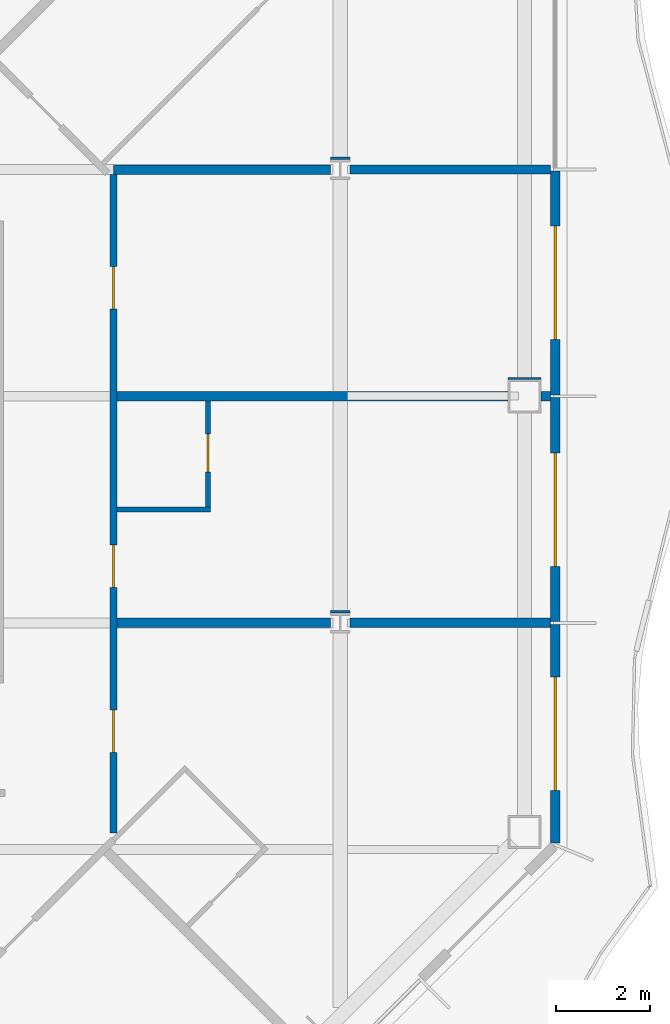
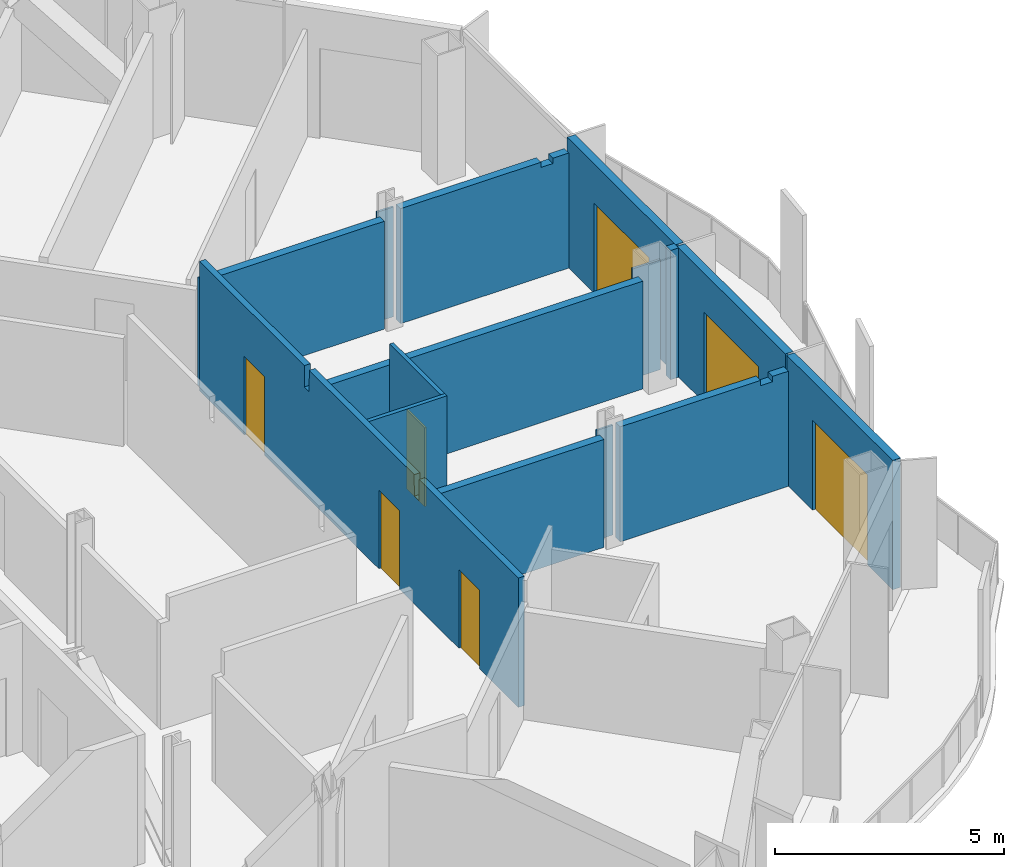
# One storey, part 11 of 22: 15 walls, 7 doors, 7 openings.
"""IFC4 building model written with IfcOpenShell, lengths in metres."""

from ifc_helpers import new_model, si_unit, direction, frame, frame_2d, origin, place, context, subcontext, project, spatial, polyline, rectangle, outline, extrude, material, layer, layer_set, type_object, element, fill, save


model = new_model("IFC4")

# Units and contexts
model_context = context("Model", 3, precision=1e-05, world=origin(), true_north=direction((0.0, 1.0)))
body_context = subcontext(model_context, "Body", "Model", "MODEL_VIEW")
ifc_project = project(units=[si_unit("LENGTHUNIT", "METRE"), si_unit("AREAUNIT", "SQUARE_METRE"), si_unit("VOLUMEUNIT", "CUBIC_METRE"), si_unit("PLANEANGLEUNIT", "RADIAN"), si_unit("MASSUNIT", "GRAM", prefix="KILO")], contexts=[model_context])

# Site, building, storey
site_placement = place(None, origin())
site = spatial("IfcSite", under=ifc_project, at=site_placement, CompositionType="ELEMENT")
building_placement = place(site_placement, origin())
building = spatial("IfcBuilding", under=site, at=building_placement, Name="Cairn Pilgrim Tower", CompositionType="ELEMENT")
storey_placement = place(building_placement, frame((0.0, 0.0, 147.0)))
storey = spatial("IfcBuildingStorey", under=building, at=storey_placement, Name="L36", CompositionType="ELEMENT", Elevation=147.0)

# Wall, opening, door
ifc_material_1 = material(Name="Bronze anodised aluminium insulated sandwich panel with mineral wool fill", Category="aluminium")
ifc_layer_1 = layer(ifc_material_1, 0.199951171875)
ifc_layer_set_1 = layer_set([ifc_layer_1], Name="BRONZE INFILL FRAME WALL 200")
wall_type_1 = type_object("IfcWallType", Name="BRONZE INFILL FRAME WALL 200", PredefinedType="NOTDEFINED", material=ifc_layer_set_1)
wall_1_placement = place(storey_placement, frame((35.75, -4.656494140625, 0.0), z_axis=(0.0, 0.0, 1.0), x_axis=(0.0, 1.0, 0.0)))
wall_1 = element("IfcWall", 1, at=wall_1_placement, inside=storey, type_object=wall_type_1, Name="Bronze infill frame wall IW-E1", PredefinedType="NOTDEFINED", context=body_context, shape_type="SweptSolid", body=[
    extrude(rectangle(XDim=4.62646484375, YDim=0.199951171875, at=frame_2d((2.313232421875, 0.0))), origin(), (0.0, 0.0, 1.0), 3.449951171875),
])
opening_1_placement = place(wall_1_placement, frame((1.1083984375, 0.0, 0.0)))
opening_1 = element("IfcOpeningElement", 2, at=opening_1_placement, cuts=wall_1, Name="Opening 3603B", PredefinedType="OPENING", context=body_context, shape_type="SweptSolid", body=[
    extrude(rectangle(XDim=2.39990234375, YDim=2.39990234375, at=frame_2d((1.199951171875, 1.199951171875))), frame((0.0, 0.10986328125, 0.0), z_axis=(0.0, -1.0, 0.0), x_axis=(1.0, 0.0, 0.0)), (0.0, 0.0, 1.0), 0.219970703125),
])
ifc_material_2 = material(Name="Bronze anodised aluminium frame with tinted low-E glass", Category="aluminium")
door_type_1 = type_object("IfcDoorType", Name="BALCONY SLIDING DOOR 2400x2400", OperationType="DOUBLE_DOOR_SLIDING", PredefinedType="DOOR", material=ifc_material_2)
door_1_placement = place(opening_1_placement, origin())
door_1 = element("IfcDoor", 3, at=door_1_placement, inside=storey, type_object=door_type_1, Name="Balcony sliding door 3603B", OperationType="SINGLE_SWING_LEFT", OverallHeight=2.39990234375, OverallWidth=2.39990234375, PredefinedType="DOOR", context=body_context, shape_type="SweptSolid", body=[
    extrude(rectangle(XDim=2.39990234375, YDim=2.39990234375, at=frame_2d((1.199951171875, 1.199951171875))), frame((0.0, 0.02490234375, 0.0), z_axis=(0.0, -1.0, 0.0), x_axis=(1.0, 0.0, 0.0)), (0.0, 0.0, 1.0), 0.050048828125),
])
fill(opening_1, door_1)

wall_2_placement = place(storey_placement, frame((35.75, 0.030029296875, 0.0), z_axis=(0.0, 0.0, 1.0), x_axis=(0.0, 1.0, 0.0)))
wall_2 = element("IfcWall", 4, at=wall_2_placement, inside=storey, type_object=wall_type_1, Name="Bronze infill frame wall IW-E2", PredefinedType="NOTDEFINED", context=body_context, shape_type="SweptSolid", body=[
    extrude(rectangle(XDim=4.739990234375, YDim=0.199951171875, at=frame_2d((2.3701171875, 0.0))), origin(), (0.0, 0.0, 1.0), 3.449951171875),
])
opening_2_placement = place(wall_2_placement, frame((1.169921875, 0.0, 0.0)))
opening_2 = element("IfcOpeningElement", 5, at=opening_2_placement, cuts=wall_2, Name="Opening 3604B", PredefinedType="OPENING", context=body_context, shape_type="SweptSolid", body=[
    extrude(rectangle(XDim=2.39990234375, YDim=2.39990234375, at=frame_2d((1.199951171875, 1.199951171875))), frame((0.0, 0.10986328125, 0.0), z_axis=(0.0, -1.0, 0.0), x_axis=(1.0, 0.0, 0.0)), (0.0, 0.0, 1.0), 0.219970703125),
])
door_2_placement = place(opening_2_placement, origin())
door_2 = element("IfcDoor", 6, at=door_2_placement, inside=storey, type_object=door_type_1, Name="Balcony sliding door 3604B", OperationType="SINGLE_SWING_LEFT", OverallHeight=2.39990234375, OverallWidth=2.39990234375, PredefinedType="DOOR", context=body_context, shape_type="SweptSolid", body=[
    extrude(rectangle(XDim=2.39990234375, YDim=2.39990234375, at=frame_2d((1.199951171875, 1.199951171875))), frame((0.0, 0.02490234375, 0.0), z_axis=(0.0, -1.0, 0.0), x_axis=(1.0, 0.0, 0.0)), (0.0, 0.0, 1.0), 0.050048828125),
])
fill(opening_2, door_2)

wall_3_placement = place(storey_placement, frame((35.75, 4.830078125, 0.0), z_axis=(0.0, 0.0, 1.0), x_axis=(0.0, 1.0, 0.0)))
wall_3 = element("IfcWall", 7, at=wall_3_placement, inside=storey, type_object=wall_type_1, Name="Bronze infill frame wall IW-E3", PredefinedType="NOTDEFINED", context=body_context, shape_type="SweptSolid", body=[
    extrude(rectangle(XDim=4.739990234375, YDim=0.199951171875, at=frame_2d((2.3701171875, 0.0))), origin(), (0.0, 0.0, 1.0), 3.449951171875),
])
opening_3_placement = place(wall_3_placement, frame((1.169921875, 0.0, 0.0)))
opening_3 = element("IfcOpeningElement", 8, at=opening_3_placement, cuts=wall_3, Name="Opening 3605B", PredefinedType="OPENING", context=body_context, shape_type="SweptSolid", body=[
    extrude(rectangle(XDim=2.39990234375, YDim=2.39990234375, at=frame_2d((1.199951171875, 1.199951171875))), frame((0.0, 0.10986328125, 0.0), z_axis=(0.0, -1.0, 0.0), x_axis=(1.0, 0.0, 0.0)), (0.0, 0.0, 1.0), 0.219970703125),
])
door_3_placement = place(opening_3_placement, origin())
door_3 = element("IfcDoor", 9, at=door_3_placement, inside=storey, type_object=door_type_1, Name="Balcony sliding door 3605B", OperationType="SINGLE_SWING_LEFT", OverallHeight=2.39990234375, OverallWidth=2.39990234375, PredefinedType="DOOR", context=body_context, shape_type="SweptSolid", body=[
    extrude(rectangle(XDim=2.39990234375, YDim=2.39990234375, at=frame_2d((1.199951171875, 1.199951171875))), frame((0.0, 0.02490234375, 0.0), z_axis=(0.0, -1.0, 0.0), x_axis=(1.0, 0.0, 0.0)), (0.0, 0.0, 1.0), 0.050048828125),
])
fill(opening_3, door_3)

# Wall
ifc_material_3 = material(Name="Gypsum partition")
ifc_layer_2 = layer(ifc_material_3, 0.10009765625)
ifc_layer_set_2 = layer_set([ifc_layer_2], Name="PARTITION 100 DRYWALL")
wall_type_2 = type_object("IfcWallType", Name="PARTITION 100 DRYWALL", PredefinedType="PARTITIONING", material=ifc_layer_set_2)
wall_4_placement = place(storey_placement, frame((26.47509765625, 2.39990234375, 0.0), z_axis=(0.0, 0.0, 1.0), x_axis=(1.0, 0.0, 0.0)))
element("IfcWall", 10, at=wall_4_placement, inside=storey, type_object=wall_type_2, Name="PARTITION W053", PredefinedType="PARTITIONING", context=body_context, shape_type="SweptSolid", body=[
    extrude(rectangle(XDim=1.974853515625, YDim=0.10009765625, at=frame_2d((0.9873046875, 0.0))), origin(), (0.0, 0.0, 1.0), 3.449951171875),
])

# Wall, opening, door
wall_5_placement = place(storey_placement, frame((28.39990234375, 2.449951171875, 0.0), z_axis=(0.0, 0.0, 1.0), x_axis=(0.0, 1.0, 0.0)))
wall_5 = element("IfcWall", 11, at=wall_5_placement, inside=storey, type_object=wall_type_2, Name="PARTITION W054", PredefinedType="PARTITIONING", context=body_context, shape_type="SweptSolid", body=[
    extrude(outline(polyline([(0.0, 0.0), (2.25, 0.0), (2.25, 2.8798828125), (2.2451171875, 2.8798828125), (2.242919921875, 3.449951171875), (0.0, 3.449951171875), (0.0, 0.0)])), frame((0.0, 0.050048828125, 0.0), z_axis=(0.0, -1.0, 0.0), x_axis=(1.0, 0.0, 0.0)), (0.0, 0.0, 1.0), 0.10009765625),
])
opening_4_placement = place(wall_5_placement, frame((0.75, 0.0, 0.0)))
opening_4 = element("IfcOpeningElement", 12, at=opening_4_placement, cuts=wall_5, Name="Opening 3604A", PredefinedType="OPENING", context=body_context, shape_type="SweptSolid", body=[
    extrude(rectangle(XDim=0.800048828125, YDim=2.10009765625, at=frame_2d((0.39990234375, 1.050048828125))), frame((0.0, 0.06005859375, 0.0), z_axis=(0.0, -1.0, 0.0), x_axis=(1.0, 0.0, 0.0)), (0.0, 0.0, 1.0), 0.1201171875),
])
ifc_material_4 = material(Name="Timber door leaf", Category="wood")
door_type_2 = type_object("IfcDoorType", Name="WC DOOR 800x2100", OperationType="NOTDEFINED", PredefinedType="DOOR", material=ifc_material_4)
door_4_placement = place(opening_4_placement, frame((0.800048828125, 0.0, 0.0), z_axis=(0.0, 0.0, 1.0), x_axis=(-1.0, 0.0, 0.0)))
door_4 = element("IfcDoor", 13, at=door_4_placement, inside=storey, type_object=door_type_2, Name="DOOR 3604A", OperationType="SINGLE_SWING_LEFT", OverallHeight=2.10009765625, OverallWidth=0.800048828125, PredefinedType="DOOR", context=body_context, shape_type="SweptSolid", body=[
    extrude(rectangle(XDim=0.800048828125, YDim=2.10009765625, at=frame_2d((0.39990234375, 1.050048828125))), frame((0.0, 0.02490234375, 0.0), z_axis=(0.0, -1.0, 0.0), x_axis=(1.0, 0.0, 0.0)), (0.0, 0.0, 1.0), 0.050048828125),
])
fill(opening_4, door_4)

# Wall, openings, doors
ifc_layer_3 = layer(ifc_material_3, 0.14990234375)
ifc_layer_set_3 = layer_set([ifc_layer_3], Name="PARTITION 150 DRYWALL EI 60")
wall_type_3 = type_object("IfcWallType", Name="PARTITION 150 DRYWALL EI 60", PredefinedType="PARTITIONING", material=ifc_layer_set_3)
wall_6_placement = place(storey_placement, frame((26.39990234375, -4.4482421875, 0.0), z_axis=(0.0, 0.0, 1.0), x_axis=(0.0, 1.0, 0.0)))
wall_6 = element("IfcWall", 14, at=wall_6_placement, inside=storey, type_object=wall_type_3, Name="PARTITION W038", PredefinedType="PARTITIONING", context=body_context, shape_type="SweptSolid", body=[
    extrude(outline(polyline([(0.0, 0.0), (13.9482421875, 0.0), (13.948486328125, 2.8798828125), (13.943359375, 2.8798828125), (13.94140625, 3.449951171875), (9.353271484375, 3.449951171875), (9.351318359375, 2.8798828125), (9.143310546875, 2.8798828125), (9.141357421875, 3.449951171875), (4.55322265625, 3.449951171875), (4.55126953125, 2.8798828125), (4.34326171875, 2.8798828125), (4.34130859375, 3.449951171875), (0.0, 3.449951171875), (0.0, 0.0)])), frame((0.0, 0.074951171875, 0.0), z_axis=(0.0, -1.0, 0.0), x_axis=(1.0, 0.0, 0.0)), (0.0, 0.0, 1.0), 0.14990234375),
])
opening_5_placement = place(wall_6_placement, frame((1.701171875, 0.0, 0.0)))
opening_5 = element("IfcOpeningElement", 15, at=opening_5_placement, cuts=wall_6, Name="Opening 3603", PredefinedType="OPENING", context=body_context, shape_type="SweptSolid", body=[
    extrude(rectangle(XDim=0.89990234375, YDim=2.10009765625, at=frame_2d((0.449951171875, 1.050048828125))), frame((0.0, 0.0849609375, 0.0), z_axis=(0.0, -1.0, 0.0), x_axis=(1.0, 0.0, 0.0)), (0.0, 0.0, 1.0), 0.169921875),
])
opening_6_placement = place(wall_6_placement, frame((5.1982421875, 0.0, 0.0)))
opening_6 = element("IfcOpeningElement", 16, at=opening_6_placement, cuts=wall_6, Name="Opening 3604", PredefinedType="OPENING", context=body_context, shape_type="SweptSolid", body=[
    extrude(rectangle(XDim=0.89990234375, YDim=2.10009765625, at=frame_2d((0.449951171875, 1.050048828125))), frame((0.0, 0.0849609375, 0.0), z_axis=(0.0, -1.0, 0.0), x_axis=(1.0, 0.0, 0.0)), (0.0, 0.0, 1.0), 0.169921875),
])
opening_7_placement = place(wall_6_placement, frame((11.09521484375, 0.0, 0.0)))
opening_7 = element("IfcOpeningElement", 17, at=opening_7_placement, cuts=wall_6, Name="Opening 3605", PredefinedType="OPENING", context=body_context, shape_type="SweptSolid", body=[
    extrude(rectangle(XDim=0.89990234375, YDim=2.10009765625, at=frame_2d((0.449951171875, 1.050048828125))), frame((0.0, 0.0849609375, 0.0), z_axis=(0.0, -1.0, 0.0), x_axis=(1.0, 0.0, 0.0)), (0.0, 0.0, 1.0), 0.169921875),
])
door_type_3 = type_object("IfcDoorType", Name="ROOM DOOR 900x2100 FD30S", OperationType="NOTDEFINED", PredefinedType="DOOR", material=ifc_material_4)
door_5_placement = place(opening_5_placement, frame((0.89990234375, 0.0, 0.0), z_axis=(0.0, 0.0, 1.0), x_axis=(-1.0, 0.0, 0.0)))
door_5 = element("IfcDoor", 18, at=door_5_placement, inside=storey, type_object=door_type_3, Name="DOOR 3603", OperationType="SINGLE_SWING_LEFT", OverallHeight=2.10009765625, OverallWidth=0.89990234375, PredefinedType="DOOR", context=body_context, shape_type="SweptSolid", body=[
    extrude(rectangle(XDim=0.89990234375, YDim=2.10009765625, at=frame_2d((0.449951171875, 1.050048828125))), frame((0.0, 0.02490234375, 0.0), z_axis=(0.0, -1.0, 0.0), x_axis=(1.0, 0.0, 0.0)), (0.0, 0.0, 1.0), 0.050048828125),
])
fill(opening_5, door_5)
door_6_placement = place(opening_6_placement, frame((0.89990234375, 0.0, 0.0), z_axis=(0.0, 0.0, 1.0), x_axis=(-1.0, 0.0, 0.0)))
door_6 = element("IfcDoor", 19, at=door_6_placement, inside=storey, type_object=door_type_3, Name="DOOR 3604", OperationType="SINGLE_SWING_LEFT", OverallHeight=2.10009765625, OverallWidth=0.89990234375, PredefinedType="DOOR", context=body_context, shape_type="SweptSolid", body=[
    extrude(rectangle(XDim=0.89990234375, YDim=2.10009765625, at=frame_2d((0.449951171875, 1.050048828125))), frame((0.0, 0.02490234375, 0.0), z_axis=(0.0, -1.0, 0.0), x_axis=(1.0, 0.0, 0.0)), (0.0, 0.0, 1.0), 0.050048828125),
])
fill(opening_6, door_6)
door_type_4 = type_object("IfcDoorType", Name="SERVICE DOOR 900x2100 FD30S", OperationType="NOTDEFINED", PredefinedType="DOOR", material=ifc_material_4)
door_7_placement = place(opening_7_placement, frame((0.89990234375, 0.0, 0.0), z_axis=(0.0, 0.0, 1.0), x_axis=(-1.0, 0.0, 0.0)))
door_7 = element("IfcDoor", 20, at=door_7_placement, inside=storey, type_object=door_type_4, Name="DOOR 3605", OperationType="SINGLE_SWING_LEFT", OverallHeight=2.10009765625, OverallWidth=0.89990234375, PredefinedType="DOOR", context=body_context, shape_type="SweptSolid", body=[
    extrude(rectangle(XDim=0.89990234375, YDim=2.10009765625, at=frame_2d((0.449951171875, 1.050048828125))), frame((0.0, 0.02490234375, 0.0), z_axis=(0.0, -1.0, 0.0), x_axis=(1.0, 0.0, 0.0)), (0.0, 0.0, 1.0), 0.050048828125),
])
fill(opening_7, door_7)

# Walls
ifc_layer_4 = layer(ifc_material_3, 0.050048828125)
ifc_layer_set_4 = layer_set([ifc_layer_4], Name="PARTITION 50 DRYWALL EI 60")
wall_type_4 = type_object("IfcWallType", Name="PARTITION 50 DRYWALL EI 60", PredefinedType="PARTITIONING", material=ifc_layer_set_4)
wall_7_placement = place(storey_placement, frame((30.99560546875, 0.237548828125, 0.0), z_axis=(0.0, 0.0, 1.0), x_axis=(1.0, 0.0, 0.0)))
element("IfcWall", 21, at=wall_7_placement, inside=storey, type_object=wall_type_4, Name="COLUMN CASING WC22", PredefinedType="PARTITIONING", context=body_context, shape_type="SweptSolid", body=[
    extrude(rectangle(XDim=0.408935546875, YDim=0.050048828125, at=frame_2d((0.20458984375, 0.0))), origin(), (0.0, 0.0, 1.0), 2.929931640625),
])
wall_8_placement = place(storey_placement, frame((34.75, 5.175048828125, 0.0), z_axis=(0.0, 0.0, 1.0), x_axis=(1.0, 0.0, 0.0)))
element("IfcWall", 22, at=wall_8_placement, inside=storey, type_object=wall_type_4, Name="COLUMN CASING WC24", PredefinedType="PARTITIONING", context=body_context, shape_type="SweptSolid", body=[
    extrude(rectangle(XDim=0.699951171875, YDim=0.050048828125, at=frame_2d((0.35009765625, 0.0))), origin(), (0.0, 0.0, 1.0), 2.929931640625),
])
wall_9_placement = place(storey_placement, frame((30.99560546875, 9.83740234375, 0.0), z_axis=(0.0, 0.0, 1.0), x_axis=(1.0, 0.0, 0.0)))
element("IfcWall", 23, at=wall_9_placement, inside=storey, type_object=wall_type_4, Name="COLUMN CASING WC28", PredefinedType="PARTITIONING", context=body_context, shape_type="SweptSolid", body=[
    extrude(rectangle(XDim=0.408935546875, YDim=0.050048828125, at=frame_2d((0.20458984375, 0.0))), origin(), (0.0, 0.0, 1.0), 2.929931640625),
])
ifc_layer_5 = layer(ifc_material_3, 0.199951171875)
ifc_layer_set_5 = layer_set([ifc_layer_5], Name="SHAFT WALL 200 GYPSUM EI 60")
wall_type_5 = type_object("IfcWallType", Name="SHAFT WALL 200 GYPSUM EI 60", PredefinedType="PARTITIONING", material=ifc_layer_set_5)
wall_10_placement = place(storey_placement, frame((26.47509765625, 0.0, 0.0), z_axis=(0.0, 0.0, 1.0), x_axis=(1.0, 0.0, 0.0)))
element("IfcWall", 24, at=wall_10_placement, inside=storey, type_object=wall_type_5, Name="PARTITION W049", PredefinedType="PARTITIONING", context=body_context, shape_type="SweptSolid", body=[
    extrude(rectangle(XDim=4.5205078125, YDim=0.199951171875, at=frame_2d((2.26025390625, 0.0))), origin(), (0.0, 0.0, 1.0), 2.8798828125),
])
wall_11_placement = place(storey_placement, frame((31.404541015625, 0.0, 0.0), z_axis=(0.0, 0.0, 1.0), x_axis=(1.0, 0.0, 0.0)))
element("IfcWall", 25, at=wall_11_placement, inside=storey, type_object=wall_type_5, Name="PARTITION W050", PredefinedType="PARTITIONING", context=body_context, shape_type="SweptSolid", body=[
    extrude(outline(polyline([(0.0, 0.0), (4.245361328125, 0.0), (4.24560546875, 3.070068359375), (3.845458984375, 3.070068359375), (3.843505859375, 2.929931640625), (3.54541015625, 2.929931640625), (3.54345703125, 3.070068359375), (0.0, 3.070068359375), (0.0, 0.0)])), frame((0.0, 0.10009765625, 0.0), z_axis=(0.0, -1.0, 0.0), x_axis=(1.0, 0.0, 0.0)), (0.0, 0.0, 1.0), 0.199951171875),
])
wall_12_placement = place(storey_placement, frame((26.47509765625, 4.800048828125, 0.0), z_axis=(0.0, 0.0, 1.0), x_axis=(1.0, 0.0, 0.0)))
element("IfcWall", 26, at=wall_12_placement, inside=storey, type_object=wall_type_5, Name="PARTITION W059", PredefinedType="PARTITIONING", context=body_context, shape_type="SweptSolid", body=[
    extrude(rectangle(XDim=8.27490234375, YDim=0.199951171875, at=frame_2d((4.137451171875, 0.0))), origin(), (0.0, 0.0, 1.0), 2.8798828125),
])
wall_13_placement = place(storey_placement, frame((35.449951171875, 4.800048828125, 0.0), z_axis=(0.0, 0.0, 1.0), x_axis=(1.0, 0.0, 0.0)))
element("IfcWall", 27, at=wall_13_placement, inside=storey, type_object=wall_type_5, Name="PARTITION W060", PredefinedType="PARTITIONING", context=body_context, shape_type="SweptSolid", body=[
    extrude(rectangle(XDim=0.199951171875, YDim=0.199951171875, at=frame_2d((0.10009765625, 0.0))), origin(), (0.0, 0.0, 1.0), 3.449951171875),
])
wall_14_placement = place(storey_placement, frame((26.400146484375, 9.60009765625, 0.0), z_axis=(0.0, 0.0, 1.0), x_axis=(1.0, 0.0, 0.0)))
element("IfcWall", 28, at=wall_14_placement, inside=storey, type_object=wall_type_5, Name="PARTITION W069", PredefinedType="PARTITIONING", context=body_context, shape_type="SweptSolid", body=[
    extrude(rectangle(XDim=4.595458984375, YDim=0.199951171875, at=frame_2d((2.2978515625, 0.0))), origin(), (0.0, 0.0, 1.0), 2.8798828125),
])
wall_15_placement = place(storey_placement, frame((31.404541015625, 9.60009765625, 0.0), z_axis=(0.0, 0.0, 1.0), x_axis=(1.0, 0.0, 0.0)))
element("IfcWall", 29, at=wall_15_placement, inside=storey, type_object=wall_type_5, Name="PARTITION W070", PredefinedType="PARTITIONING", context=body_context, shape_type="SweptSolid", body=[
    extrude(outline(polyline([(0.0, 0.0), (4.245361328125, 0.0), (4.24560546875, 3.070068359375), (3.845458984375, 3.070068359375), (3.843505859375, 2.929931640625), (3.54541015625, 2.929931640625), (3.54345703125, 3.070068359375), (0.0, 3.070068359375), (0.0, 0.0)])), frame((0.0, 0.10009765625, 0.0), z_axis=(0.0, -1.0, 0.0), x_axis=(1.0, 0.0, 0.0)), (0.0, 0.0, 1.0), 0.199951171875),
])

save(model, "model.ifc")
